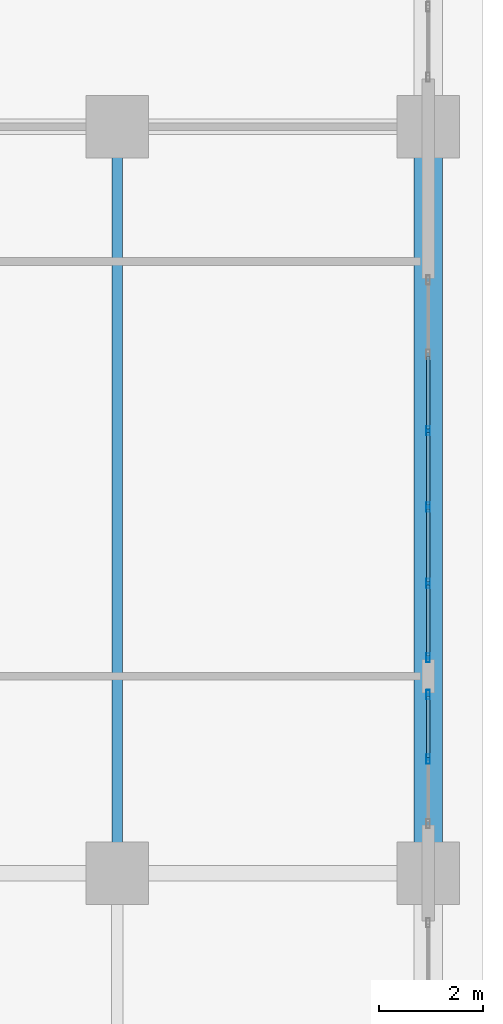
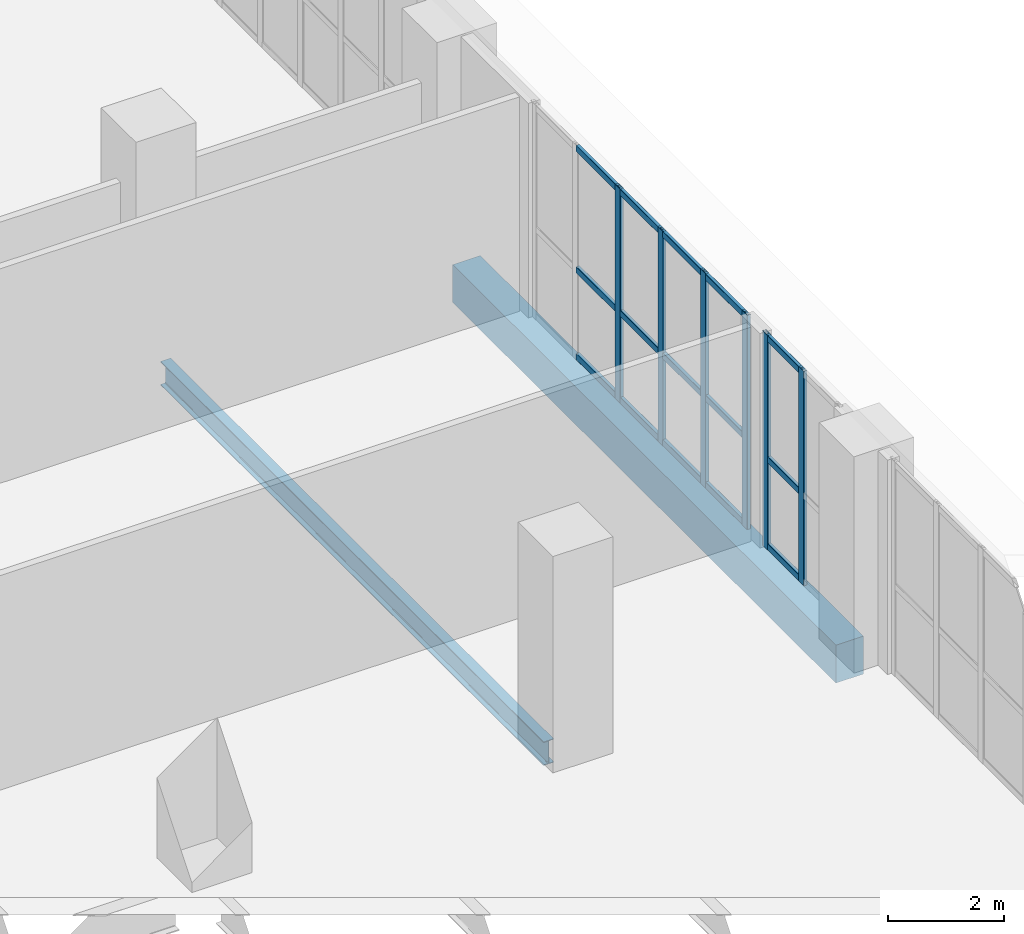
# One storey, part 22 of 37: 21 members, 2 beams, 2 elements without a shape of their own.
"""IFC4 building model written with IfcOpenShell, lengths in metres."""

from ifc_helpers import new_model, si_unit, direction, frame, origin, origin_2d, place, context, subcontext, project, spatial, rectangle, hollow_rectangle, i_section, extrude, material, layer, layer_set, material_profile, profile_set, type_object, element, aggregate, save


model = new_model("IFC4")

# Units and contexts
model_context = context("Model", 3, precision=1e-05, world=origin(), true_north=direction((0.0, 1.0)))
body_context = subcontext(model_context, "Body", "Model", "MODEL_VIEW")
ifc_project = project(units=[si_unit("LENGTHUNIT", "METRE"), si_unit("AREAUNIT", "SQUARE_METRE"), si_unit("VOLUMEUNIT", "CUBIC_METRE"), si_unit("PLANEANGLEUNIT", "RADIAN"), si_unit("MASSUNIT", "GRAM", prefix="KILO")], contexts=[model_context])

# Site, building, storey
site_placement = place(None, origin())
site = spatial("IfcSite", under=ifc_project, at=site_placement, CompositionType="ELEMENT")
building_placement = place(site_placement, origin())
building = spatial("IfcBuilding", under=site, at=building_placement, Name="Kaelvorn Grand Hotel", CompositionType="ELEMENT")
storey_placement = place(building_placement, frame((0.0, 0.0, 224.35009765625)))
storey = spatial("IfcBuildingStorey", under=building, at=storey_placement, Name="L55", CompositionType="ELEMENT", Elevation=224.35009765625)

# Beams
ifc_material_1 = material(Name="Steel S355", Category="steel")
ifc_material_profile_1 = material_profile(ifc_material_1, i_section(OverallWidth=0.199951171875, OverallDepth=0.5, WebThickness=0.01025390625, FlangeThickness=0.01611328125, FilletRadius=0.02099609375, at=origin_2d()), Name="IPE 500")
ifc_profile_set_1 = profile_set([ifc_material_profile_1], Name="Steel S355")
beam_type_1 = type_object("IfcBeamType", Name="BM-J-IPE500-S355", PredefinedType="JOIST", material=ifc_profile_set_1)
beam_1_placement = place(storey_placement, frame((75.0, 15.5849609375, -0.489990234375), z_axis=(0.0, 1.0, 0.0), x_axis=(-1.0, 0.0, 0.0)))
element("IfcBeam", 1, at=beam_1_placement, inside=storey, type_object=beam_type_1, Name="L55 Composite Floor Joist JM-21", PredefinedType="JOIST", context=body_context, shape_type="SweptSolid", body=[
    extrude(i_section(OverallWidth=0.199951171875, OverallDepth=0.5, WebThickness=0.01025390625, FlangeThickness=0.01611328125, FilletRadius=0.02099609375, at=origin_2d()), origin(), (0.0, 0.0, 1.0), 13.22998046875),
])
ifc_material_2 = material(Name="Concrete C50/60", Category="concrete")
ifc_material_profile_2 = material_profile(ifc_material_2, rectangle(XDim=0.550048828125, YDim=0.800048828125, at=origin_2d()), Name="RC SPANDREL 550x800")
ifc_profile_set_2 = profile_set([ifc_material_profile_2], Name="Concrete C50/60")
beam_type_2 = type_object("IfcBeamType", Name="BM-SP-550x800-C50", PredefinedType="SPANDREL", material=ifc_profile_set_2)
beam_2_placement = place(storey_placement, frame((81.0, 15.5849609375, -0.64013671875), z_axis=(0.0, 1.0, 0.0), x_axis=(-1.0, 0.0, 0.0)))
element("IfcBeam", 2, at=beam_2_placement, inside=storey, type_object=beam_type_2, Name="L55 East Perimeter Spandrel 02", PredefinedType="SPANDREL", context=body_context, shape_type="SweptSolid", body=[
    extrude(rectangle(XDim=0.550048828125, YDim=0.800048828125, at=origin_2d()), origin(), (0.0, 0.0, 1.0), 13.22998046875),
])

# Curtain wall, members
ifc_material_3 = material(Name="Anodised Aluminium", Category="aluminium")
ifc_layer = layer(ifc_material_3, 0.179931640625)
ifc_layer_set = layer_set([ifc_layer], Name="Anodised Aluminium")
curtain_wall_type = type_object("IfcCurtainWallType", Name="CW-SYS4", PredefinedType="NOTDEFINED", material=ifc_layer_set)
curtain_wall_1_placement = place(storey_placement, origin())
curtain_wall_1 = element("IfcCurtainWall", 3, at=curtain_wall_1_placement, inside=storey, type_object=curtain_wall_type, Name="L55 Unitised Curtain Wall CW4 (CW-L55-E-02)", PredefinedType="NOTDEFINED")
ifc_material_profile_3 = material_profile(ifc_material_3, hollow_rectangle(XDim=0.070068359375, YDim=0.179931640625, WallThickness=0.00390625, InnerFilletRadius=0.00390625, OuterFilletRadius=0.008056640625, at=origin_2d()), Name="ALU MULL 70x180")
ifc_profile_set_3 = profile_set([ifc_material_profile_3], Name="Anodised Aluminium")
member_type_1 = type_object("IfcMemberType", Name="CW-SYS4-MULL", PredefinedType="MULLION", material=ifc_profile_set_3)
member_1_placement = place(storey_placement, frame((81.0, 17.199951171875, 0.0), z_axis=(0.0, 0.0, 1.0), x_axis=(-1.0, 0.0, 0.0)))
member_1 = element("IfcMember", 4, at=member_1_placement, type_object=member_type_1, Name="CW4 mullion 2", PredefinedType="MULLION", context=body_context, shape_type="SweptSolid", body=[
    extrude(hollow_rectangle(XDim=0.070068359375, YDim=0.179931640625, WallThickness=0.00390625, InnerFilletRadius=0.00390625, OuterFilletRadius=0.008056640625, at=origin_2d()), origin(), (0.0, 0.0, 1.0), 4.52001953125),
])
member_2_placement = place(storey_placement, frame((81.0, 18.445068359375, 0.0), z_axis=(0.0, 0.0, 1.0), x_axis=(-1.0, 0.0, 0.0)))
member_2 = element("IfcMember", 5, at=member_2_placement, type_object=member_type_1, Name="CW4 mullion 3", PredefinedType="MULLION", context=body_context, shape_type="SweptSolid", body=[
    extrude(hollow_rectangle(XDim=0.070068359375, YDim=0.179931640625, WallThickness=0.00390625, InnerFilletRadius=0.00390625, OuterFilletRadius=0.008056640625, at=origin_2d()), origin(), (0.0, 0.0, 1.0), 4.52001953125),
])

curtain_wall_2_placement = place(storey_placement, origin())
curtain_wall_2 = element("IfcCurtainWall", 6, at=curtain_wall_2_placement, inside=storey, type_object=curtain_wall_type, Name="L55 Unitised Curtain Wall CW4 (CW-L55-E-03)", PredefinedType="NOTDEFINED")
member_3_placement = place(storey_placement, frame((81.0, 19.155029296875, 0.0), z_axis=(0.0, 0.0, 1.0), x_axis=(-1.0, 0.0, 0.0)))
member_3 = element("IfcMember", 7, at=member_3_placement, type_object=member_type_1, Name="CW4 mullion 1", PredefinedType="MULLION", context=body_context, shape_type="SweptSolid", body=[
    extrude(hollow_rectangle(XDim=0.070068359375, YDim=0.179931640625, WallThickness=0.00390625, InnerFilletRadius=0.00390625, OuterFilletRadius=0.008056640625, at=origin_2d()), origin(), (0.0, 0.0, 1.0), 4.52001953125),
])
member_4_placement = place(storey_placement, frame((81.0, 20.592041015625, 0.0), z_axis=(0.0, 0.0, 1.0), x_axis=(-1.0, 0.0, 0.0)))
member_4 = element("IfcMember", 8, at=member_4_placement, type_object=member_type_1, Name="CW4 mullion 2", PredefinedType="MULLION", context=body_context, shape_type="SweptSolid", body=[
    extrude(hollow_rectangle(XDim=0.070068359375, YDim=0.179931640625, WallThickness=0.00390625, InnerFilletRadius=0.00390625, OuterFilletRadius=0.008056640625, at=origin_2d()), origin(), (0.0, 0.0, 1.0), 4.52001953125),
])
member_5_placement = place(storey_placement, frame((81.0, 22.06396484375, 0.0), z_axis=(0.0, 0.0, 1.0), x_axis=(-1.0, 0.0, 0.0)))
member_5 = element("IfcMember", 9, at=member_5_placement, type_object=member_type_1, Name="CW4 mullion 3", PredefinedType="MULLION", context=body_context, shape_type="SweptSolid", body=[
    extrude(hollow_rectangle(XDim=0.070068359375, YDim=0.179931640625, WallThickness=0.00390625, InnerFilletRadius=0.00390625, OuterFilletRadius=0.008056640625, at=origin_2d()), origin(), (0.0, 0.0, 1.0), 4.52001953125),
])
member_6_placement = place(storey_placement, frame((81.0, 23.535888671875, 0.0), z_axis=(0.0, 0.0, 1.0), x_axis=(-1.0, 0.0, 0.0)))
member_6 = element("IfcMember", 10, at=member_6_placement, type_object=member_type_1, Name="CW4 mullion 4", PredefinedType="MULLION", context=body_context, shape_type="SweptSolid", body=[
    extrude(hollow_rectangle(XDim=0.070068359375, YDim=0.179931640625, WallThickness=0.00390625, InnerFilletRadius=0.00390625, OuterFilletRadius=0.008056640625, at=origin_2d()), origin(), (0.0, 0.0, 1.0), 4.52001953125),
])

# Member
ifc_material_profile_4 = material_profile(ifc_material_3, hollow_rectangle(XDim=0.070068359375, YDim=0.135009765625, WallThickness=0.00341796875, InnerFilletRadius=0.00341796875, OuterFilletRadius=0.007080078125, at=origin_2d()), Name="ALU TRAN 70x135")
ifc_profile_set_4 = profile_set([ifc_material_profile_4], Name="Anodised Aluminium")
member_type_2 = type_object("IfcMemberType", Name="CW-SYS4-TRAN", PredefinedType="NOTDEFINED", material=ifc_profile_set_4)
member_7_placement = place(storey_placement, frame((81.0, 17.235107421875, 0.0673828125), z_axis=(0.0, 1.0, 0.0), x_axis=(-1.0, 0.0, 0.0)))
member_7 = element("IfcMember", 11, at=member_7_placement, type_object=member_type_2, Name="CW4 transom 2.1", ObjectType="TRANSOM", PredefinedType="USERDEFINED", context=body_context, shape_type="SweptSolid", body=[
    extrude(hollow_rectangle(XDim=0.070068359375, YDim=0.135009765625, WallThickness=0.00341796875, InnerFilletRadius=0.00341796875, OuterFilletRadius=0.007080078125, at=origin_2d()), origin(), (0.0, 0.0, 1.0), 1.1748046875),
])

member_8_placement = place(storey_placement, frame((81.0, 17.235107421875, 1.898193359375), z_axis=(0.0, 1.0, 0.0), x_axis=(-1.0, 0.0, 0.0)))
member_8 = element("IfcMember", 12, at=member_8_placement, type_object=member_type_2, Name="CW4 transom 2.2", ObjectType="TRANSOM", PredefinedType="USERDEFINED", context=body_context, shape_type="SweptSolid", body=[
    extrude(hollow_rectangle(XDim=0.070068359375, YDim=0.135009765625, WallThickness=0.00341796875, InnerFilletRadius=0.00341796875, OuterFilletRadius=0.007080078125, at=origin_2d()), origin(), (0.0, 0.0, 1.0), 1.1748046875),
])

member_9_placement = place(storey_placement, frame((81.0, 17.235107421875, 4.452392578125), z_axis=(0.0, 1.0, 0.0), x_axis=(-1.0, 0.0, 0.0)))
member_9 = element("IfcMember", 13, at=member_9_placement, type_object=member_type_2, Name="CW4 transom 2.3", ObjectType="TRANSOM", PredefinedType="USERDEFINED", context=body_context, shape_type="SweptSolid", body=[
    extrude(hollow_rectangle(XDim=0.070068359375, YDim=0.135009765625, WallThickness=0.00341796875, InnerFilletRadius=0.00341796875, OuterFilletRadius=0.007080078125, at=origin_2d()), origin(), (0.0, 0.0, 1.0), 1.1748046875),
])

aggregate(curtain_wall_1, [member_1, member_2, member_7, member_8, member_9])

member_10_placement = place(storey_placement, frame((81.0, 19.18994140625, 0.0673828125), z_axis=(0.0, 1.0, 0.0), x_axis=(-1.0, 0.0, 0.0)))
member_10 = element("IfcMember", 14, at=member_10_placement, type_object=member_type_2, Name="CW4 transom 1.1", ObjectType="TRANSOM", PredefinedType="USERDEFINED", context=body_context, shape_type="SweptSolid", body=[
    extrude(hollow_rectangle(XDim=0.070068359375, YDim=0.135009765625, WallThickness=0.00341796875, InnerFilletRadius=0.00341796875, OuterFilletRadius=0.007080078125, at=origin_2d()), origin(), (0.0, 0.0, 1.0), 1.366943359375),
])

member_11_placement = place(storey_placement, frame((81.0, 19.18994140625, 1.898193359375), z_axis=(0.0, 1.0, 0.0), x_axis=(-1.0, 0.0, 0.0)))
member_11 = element("IfcMember", 15, at=member_11_placement, type_object=member_type_2, Name="CW4 transom 1.2", ObjectType="TRANSOM", PredefinedType="USERDEFINED", context=body_context, shape_type="SweptSolid", body=[
    extrude(hollow_rectangle(XDim=0.070068359375, YDim=0.135009765625, WallThickness=0.00341796875, InnerFilletRadius=0.00341796875, OuterFilletRadius=0.007080078125, at=origin_2d()), origin(), (0.0, 0.0, 1.0), 1.366943359375),
])

member_12_placement = place(storey_placement, frame((81.0, 19.18994140625, 4.452392578125), z_axis=(0.0, 1.0, 0.0), x_axis=(-1.0, 0.0, 0.0)))
member_12 = element("IfcMember", 16, at=member_12_placement, type_object=member_type_2, Name="CW4 transom 1.3", ObjectType="TRANSOM", PredefinedType="USERDEFINED", context=body_context, shape_type="SweptSolid", body=[
    extrude(hollow_rectangle(XDim=0.070068359375, YDim=0.135009765625, WallThickness=0.00341796875, InnerFilletRadius=0.00341796875, OuterFilletRadius=0.007080078125, at=origin_2d()), origin(), (0.0, 0.0, 1.0), 1.366943359375),
])

member_13_placement = place(storey_placement, frame((81.0, 20.626953125, 0.0673828125), z_axis=(0.0, 1.0, 0.0), x_axis=(-1.0, 0.0, 0.0)))
member_13 = element("IfcMember", 17, at=member_13_placement, type_object=member_type_2, Name="CW4 transom 2.1", ObjectType="TRANSOM", PredefinedType="USERDEFINED", context=body_context, shape_type="SweptSolid", body=[
    extrude(hollow_rectangle(XDim=0.070068359375, YDim=0.135009765625, WallThickness=0.00341796875, InnerFilletRadius=0.00341796875, OuterFilletRadius=0.007080078125, at=origin_2d()), origin(), (0.0, 0.0, 1.0), 1.402099609375),
])

member_14_placement = place(storey_placement, frame((81.0, 20.626953125, 1.898193359375), z_axis=(0.0, 1.0, 0.0), x_axis=(-1.0, 0.0, 0.0)))
member_14 = element("IfcMember", 18, at=member_14_placement, type_object=member_type_2, Name="CW4 transom 2.2", ObjectType="TRANSOM", PredefinedType="USERDEFINED", context=body_context, shape_type="SweptSolid", body=[
    extrude(hollow_rectangle(XDim=0.070068359375, YDim=0.135009765625, WallThickness=0.00341796875, InnerFilletRadius=0.00341796875, OuterFilletRadius=0.007080078125, at=origin_2d()), origin(), (0.0, 0.0, 1.0), 1.402099609375),
])

member_15_placement = place(storey_placement, frame((81.0, 20.626953125, 4.452392578125), z_axis=(0.0, 1.0, 0.0), x_axis=(-1.0, 0.0, 0.0)))
member_15 = element("IfcMember", 19, at=member_15_placement, type_object=member_type_2, Name="CW4 transom 2.3", ObjectType="TRANSOM", PredefinedType="USERDEFINED", context=body_context, shape_type="SweptSolid", body=[
    extrude(hollow_rectangle(XDim=0.070068359375, YDim=0.135009765625, WallThickness=0.00341796875, InnerFilletRadius=0.00341796875, OuterFilletRadius=0.007080078125, at=origin_2d()), origin(), (0.0, 0.0, 1.0), 1.402099609375),
])

member_16_placement = place(storey_placement, frame((81.0, 22.09912109375, 0.0673828125), z_axis=(0.0, 1.0, 0.0), x_axis=(-1.0, 0.0, 0.0)))
member_16 = element("IfcMember", 20, at=member_16_placement, type_object=member_type_2, Name="CW4 transom 3.1", ObjectType="TRANSOM", PredefinedType="USERDEFINED", context=body_context, shape_type="SweptSolid", body=[
    extrude(hollow_rectangle(XDim=0.070068359375, YDim=0.135009765625, WallThickness=0.00341796875, InnerFilletRadius=0.00341796875, OuterFilletRadius=0.007080078125, at=origin_2d()), origin(), (0.0, 0.0, 1.0), 1.40185546875),
])

member_17_placement = place(storey_placement, frame((81.0, 22.09912109375, 1.898193359375), z_axis=(0.0, 1.0, 0.0), x_axis=(-1.0, 0.0, 0.0)))
member_17 = element("IfcMember", 21, at=member_17_placement, type_object=member_type_2, Name="CW4 transom 3.2", ObjectType="TRANSOM", PredefinedType="USERDEFINED", context=body_context, shape_type="SweptSolid", body=[
    extrude(hollow_rectangle(XDim=0.070068359375, YDim=0.135009765625, WallThickness=0.00341796875, InnerFilletRadius=0.00341796875, OuterFilletRadius=0.007080078125, at=origin_2d()), origin(), (0.0, 0.0, 1.0), 1.40185546875),
])

member_18_placement = place(storey_placement, frame((81.0, 22.09912109375, 4.452392578125), z_axis=(0.0, 1.0, 0.0), x_axis=(-1.0, 0.0, 0.0)))
member_18 = element("IfcMember", 22, at=member_18_placement, type_object=member_type_2, Name="CW4 transom 3.3", ObjectType="TRANSOM", PredefinedType="USERDEFINED", context=body_context, shape_type="SweptSolid", body=[
    extrude(hollow_rectangle(XDim=0.070068359375, YDim=0.135009765625, WallThickness=0.00341796875, InnerFilletRadius=0.00341796875, OuterFilletRadius=0.007080078125, at=origin_2d()), origin(), (0.0, 0.0, 1.0), 1.40185546875),
])

member_19_placement = place(storey_placement, frame((81.0, 23.571044921875, 0.0673828125), z_axis=(0.0, 1.0, 0.0), x_axis=(-1.0, 0.0, 0.0)))
member_19 = element("IfcMember", 23, at=member_19_placement, type_object=member_type_2, Name="CW4 transom 4.1", ObjectType="TRANSOM", PredefinedType="USERDEFINED", context=body_context, shape_type="SweptSolid", body=[
    extrude(hollow_rectangle(XDim=0.070068359375, YDim=0.135009765625, WallThickness=0.00341796875, InnerFilletRadius=0.00341796875, OuterFilletRadius=0.007080078125, at=origin_2d()), origin(), (0.0, 0.0, 1.0), 1.40185546875),
])

member_20_placement = place(storey_placement, frame((81.0, 23.571044921875, 1.898193359375), z_axis=(0.0, 1.0, 0.0), x_axis=(-1.0, 0.0, 0.0)))
member_20 = element("IfcMember", 24, at=member_20_placement, type_object=member_type_2, Name="CW4 transom 4.2", ObjectType="TRANSOM", PredefinedType="USERDEFINED", context=body_context, shape_type="SweptSolid", body=[
    extrude(hollow_rectangle(XDim=0.070068359375, YDim=0.135009765625, WallThickness=0.00341796875, InnerFilletRadius=0.00341796875, OuterFilletRadius=0.007080078125, at=origin_2d()), origin(), (0.0, 0.0, 1.0), 1.40185546875),
])

member_21_placement = place(storey_placement, frame((81.0, 23.571044921875, 4.452392578125), z_axis=(0.0, 1.0, 0.0), x_axis=(-1.0, 0.0, 0.0)))
member_21 = element("IfcMember", 25, at=member_21_placement, type_object=member_type_2, Name="CW4 transom 4.3", ObjectType="TRANSOM", PredefinedType="USERDEFINED", context=body_context, shape_type="SweptSolid", body=[
    extrude(hollow_rectangle(XDim=0.070068359375, YDim=0.135009765625, WallThickness=0.00341796875, InnerFilletRadius=0.00341796875, OuterFilletRadius=0.007080078125, at=origin_2d()), origin(), (0.0, 0.0, 1.0), 1.40185546875),
])

aggregate(curtain_wall_2, [member_3, member_4, member_5, member_6, member_10, member_11, member_12, member_13, member_14, member_15, member_16, member_17, member_18, member_19, member_20, member_21])

save(model, "model.ifc")
